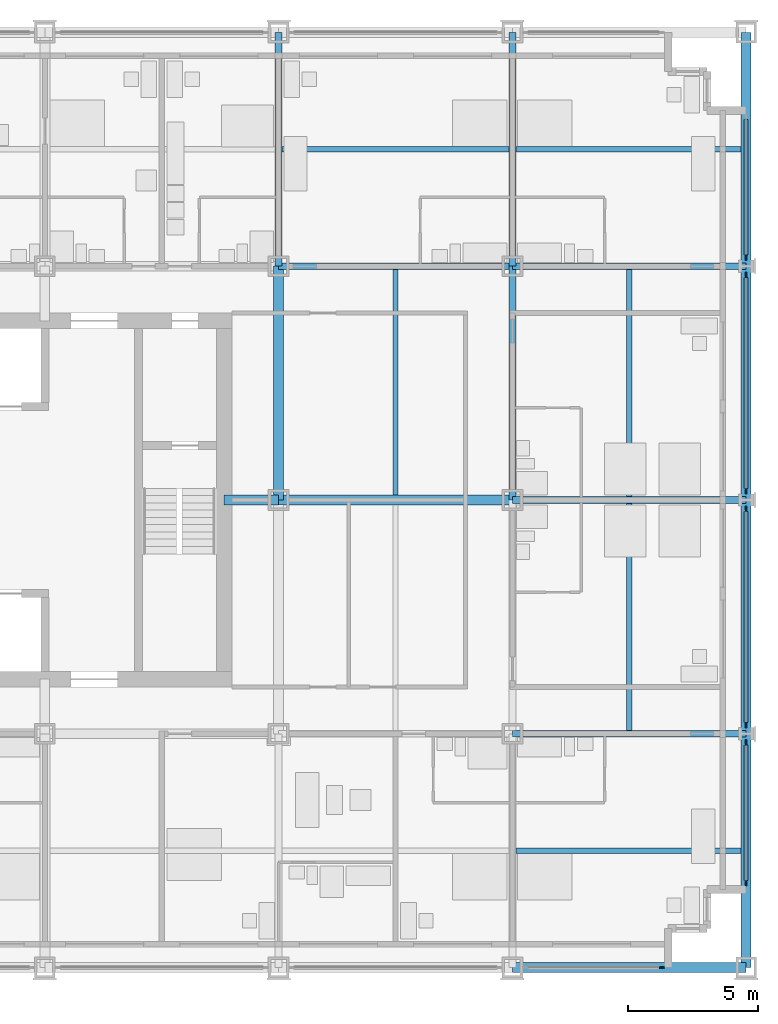
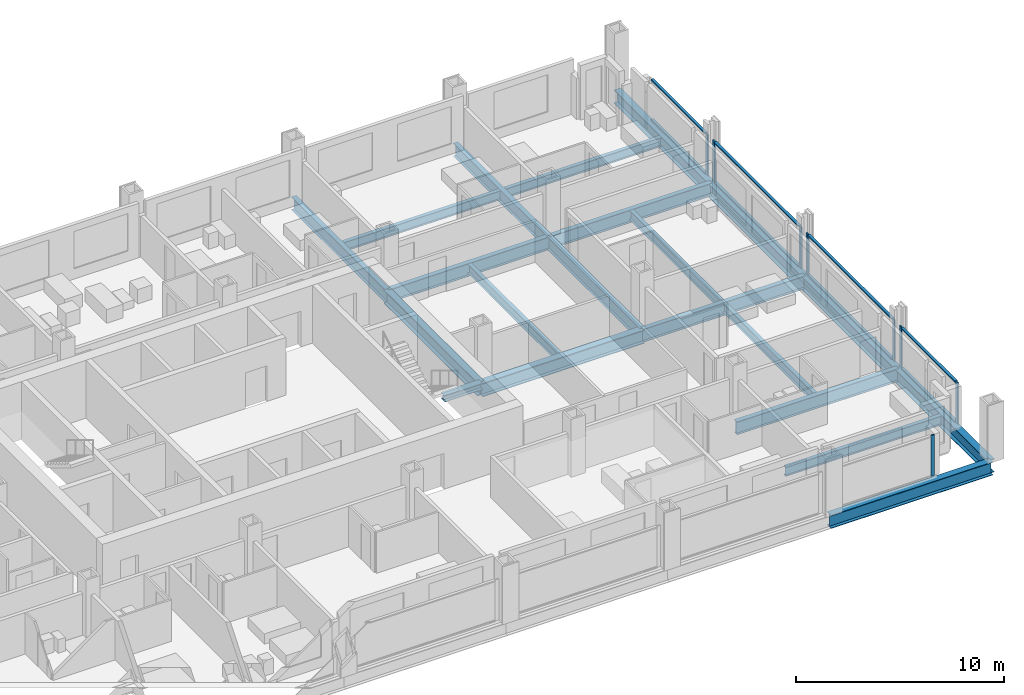
# One storey, part 6 of 18: 20 beams, 17 members, 5 elements without a shape of their own.
"""IFC4 building model written with IfcOpenShell, lengths in metres."""

from ifc_helpers import new_model, si_unit, direction, frame, origin, origin_2d, place, context, subcontext, project, spatial, rectangle, i_section, extrude, material, material_profile, profile_set, type_object, element, aggregate, save


model = new_model("IFC4")

# Units and contexts
model_context = context("Model", 3, precision=1e-05, world=origin(), true_north=direction((0.0, 1.0)))
body_context = subcontext(model_context, "Body", "Model", "MODEL_VIEW")
ifc_project = project(units=[si_unit("LENGTHUNIT", "METRE"), si_unit("AREAUNIT", "SQUARE_METRE"), si_unit("VOLUMEUNIT", "CUBIC_METRE"), si_unit("PLANEANGLEUNIT", "RADIAN"), si_unit("MASSUNIT", "GRAM", prefix="KILO")], contexts=[model_context])

# Site, building, storey
site_placement = place(None, origin())
site = spatial("IfcSite", under=ifc_project, at=site_placement, CompositionType="ELEMENT")
building_placement = place(site_placement, origin())
building = spatial("IfcBuilding", under=site, at=building_placement, Name="Loomwork Tower", CompositionType="ELEMENT")
storey_placement = place(building_placement, frame((0.0, 0.0, 31.39990234375)))
storey = spatial("IfcBuildingStorey", under=building, at=storey_placement, Name="L06", CompositionType="ELEMENT", Elevation=31.39990234375)

# Beams
ifc_material_1 = material(Name="Steel ASTM A992", Category="steel")
ifc_material_profile_1 = material_profile(ifc_material_1, i_section(OverallWidth=0.383544921875, OverallDepth=0.794921875, WebThickness=0.02099609375, FlangeThickness=0.0380859375, at=origin_2d()), Name="W30x235")
ifc_profile_set_1 = profile_set([ifc_material_profile_1], Name="Steel ASTM A992")
beam_type_1 = type_object("IfcBeamType", Name="CORE FLANK GIRDER W30x235", PredefinedType="BEAM", material=ifc_profile_set_1)
for number, where, z_axis, x_axis, name in (
    (1, (36.0, 18.0, -0.597412109375), (1.0, 0.0, 0.0), (0.0, 1.0, 0.0), "Core Flank Girder F/6-F/7 L06"),
    (2, (36.0, 18.0, -0.597412109375), (0.0, 1.0, 0.0), (-1.0, 0.0, 0.0), "Core Flank Girder F/6-G/6 L06"),
):
    element("IfcBeam", number, at=place(storey_placement, frame(where, z_axis=z_axis, x_axis=x_axis)), inside=storey, type_object=beam_type_1, Name=name, PredefinedType="BEAM", context=body_context, shape_type="SweptSolid", body=[
        extrude(i_section(OverallWidth=0.383544921875, OverallDepth=0.794921875, WebThickness=0.02099609375, FlangeThickness=0.0380859375, at=origin_2d()), origin(), (0.0, 0.0, 1.0), 9.0),
    ])

# Member
ifc_material_2 = material(Name="Steel ASTM A992", Category="steel")
ifc_material_profile_2 = material_profile(ifc_material_2, i_section(OverallWidth=0.373291015625, OverallDepth=0.373291015625, WebThickness=0.016357421875, FlangeThickness=0.026123046875, at=origin_2d()), Name="W14x132")
ifc_profile_set_2 = profile_set([ifc_material_profile_2], Name="Steel ASTM A992")
member_type_1 = type_object("IfcMemberType", Name="CORE LINK STRUT W14x132", PredefinedType="STRUT", material=ifc_profile_set_2)
member_1_placement = place(storey_placement, frame((36.0, 18.0, -0.386474609375), z_axis=(-1.0, 0.0, 0.0), x_axis=(0.0, -1.0, 0.0)))
element("IfcMember", 3, at=member_1_placement, inside=storey, type_object=member_type_1, Name="Core link strut F/6-33.900,18.000 L06", PredefinedType="STRUT", context=body_context, shape_type="SweptSolid", body=[
    extrude(i_section(OverallWidth=0.373291015625, OverallDepth=0.373291015625, WebThickness=0.016357421875, FlangeThickness=0.026123046875, at=origin_2d()), origin(), (0.0, 0.0, 1.0), 2.10009765625),
])

# Beams
ifc_material_3 = material(Name="Steel ASTM A992", Category="steel")
ifc_material_profile_3 = material_profile(ifc_material_3, i_section(OverallWidth=0.2666015625, OverallDepth=0.761962890625, WebThickness=0.014404296875, FlangeThickness=0.021484375, at=origin_2d()), Name="W30x116")
ifc_profile_set_3 = profile_set([ifc_material_profile_3], Name="Steel ASTM A992")
beam_type_2 = type_object("IfcBeamType", Name="FLOOR GIRDER W30x116", PredefinedType="BEAM", material=ifc_profile_set_3)
for number, where, z_axis, x_axis, name in (
    (4, (45.0, 9.0, -0.580810546875), (1.0, 0.0, 0.0), (0.0, 1.0, 0.0), "Floor Girder E/7-E/8 L06"),
    (5, (45.0, 18.0, -0.580810546875), (1.0, 0.0, 0.0), (0.0, 1.0, 0.0), "Floor Girder F/7-F/8 L06"),
    (6, (36.0, 27.0, -0.580810546875), (1.0, 0.0, 0.0), (0.0, 1.0, 0.0), "Floor Girder G/6-G/7 L06"),
    (7, (45.0, 27.0, -0.580810546875), (1.0, 0.0, 0.0), (0.0, 1.0, 0.0), "Floor Girder G/7-G/8 L06"),
    (8, (36.0, 27.0, -0.580810546875), (0.0, 1.0, 0.0), (-1.0, 0.0, 0.0), "Floor Girder G/6-H/6 L06"),
    (9, (45.0, 18.0, -0.580810546875), (0.0, 1.0, 0.0), (-1.0, 0.0, 0.0), "Floor Girder F/7-G/7 L06"),
    (10, (45.0, 27.0, -0.580810546875), (0.0, 1.0, 0.0), (-1.0, 0.0, 0.0), "Floor Girder G/7-H/7 L06"),
):
    element("IfcBeam", number, at=place(storey_placement, frame(where, z_axis=z_axis, x_axis=x_axis)), inside=storey, type_object=beam_type_2, Name=name, PredefinedType="BEAM", context=body_context, shape_type="SweptSolid", body=[
        extrude(i_section(OverallWidth=0.2666015625, OverallDepth=0.761962890625, WebThickness=0.014404296875, FlangeThickness=0.021484375, at=origin_2d()), origin(), (0.0, 0.0, 1.0), 9.0),
    ])
ifc_material_4 = material(Name="Steel ASTM A992", Category="steel")
ifc_material_profile_4 = material_profile(ifc_material_4, i_section(OverallWidth=0.2109375, OverallDepth=0.53857421875, WebThickness=0.011474609375, FlangeThickness=0.018798828125, at=origin_2d()), Name="W21x73")
ifc_profile_set_4 = profile_set([ifc_material_profile_4], Name="Steel ASTM A992")
beam_type_3 = type_object("IfcBeamType", Name="FLOOR JOIST W21x73", PredefinedType="JOIST", material=ifc_profile_set_4)
beam_1_placement = place(storey_placement, frame((40.5, 18.19091796875, -0.46923828125), z_axis=(0.0, 1.0, 0.0), x_axis=(-1.0, 0.0, 0.0)))
element("IfcBeam", 11, at=beam_1_placement, inside=storey, type_object=beam_type_3, Name="Floor Joist 40.500,18.000-40.500,27.000 L06", PredefinedType="JOIST", context=body_context, shape_type="SweptSolid", body=[
    extrude(i_section(OverallWidth=0.2109375, OverallDepth=0.53857421875, WebThickness=0.011474609375, FlangeThickness=0.018798828125, at=origin_2d()), origin(), (0.0, 0.0, 1.0), 8.676025390625),
])
beam_2_placement = place(storey_placement, frame((36.133056640625, 31.5, -0.46923828125), z_axis=(1.0, 0.0, 0.0), x_axis=(0.0, 1.0, 0.0)))
element("IfcBeam", 12, at=beam_2_placement, inside=storey, type_object=beam_type_3, Name="Floor Joist 36.000,31.500-45.000,31.500 L06", PredefinedType="JOIST", context=body_context, shape_type="SweptSolid", body=[
    extrude(i_section(OverallWidth=0.2109375, OverallDepth=0.53857421875, WebThickness=0.011474609375, FlangeThickness=0.018798828125, at=origin_2d()), origin(), (0.0, 0.0, 1.0), 8.73388671875),
])
beam_3_placement = place(storey_placement, frame((45.133056640625, 4.5, -0.46923828125), z_axis=(1.0, 0.0, 0.0), x_axis=(0.0, 1.0, 0.0)))
element("IfcBeam", 13, at=beam_3_placement, inside=storey, type_object=beam_type_3, Name="Floor Joist 45.000,4.500-54.000,4.500 L06", PredefinedType="JOIST", context=body_context, shape_type="SweptSolid", body=[
    extrude(i_section(OverallWidth=0.2109375, OverallDepth=0.53857421875, WebThickness=0.011474609375, FlangeThickness=0.018798828125, at=origin_2d()), origin(), (0.0, 0.0, 1.0), 8.677001953125),
])
for number, where, z_axis, x_axis, name in (
    (14, (49.5, 9.133056640625, -0.46923828125), (0.0, 1.0, 0.0), (-1.0, 0.0, 0.0), "Floor Joist 49.500,9.000-49.500,18.000 L06"),
    (15, (49.5, 18.133056640625, -0.46923828125), (0.0, 1.0, 0.0), (-1.0, 0.0, 0.0), "Floor Joist 49.500,18.000-49.500,27.000 L06"),
):
    element("IfcBeam", number, at=place(storey_placement, frame(where, z_axis=z_axis, x_axis=x_axis)), inside=storey, type_object=beam_type_3, Name=name, PredefinedType="JOIST", context=body_context, shape_type="SweptSolid", body=[
        extrude(i_section(OverallWidth=0.2109375, OverallDepth=0.53857421875, WebThickness=0.011474609375, FlangeThickness=0.018798828125, at=origin_2d()), origin(), (0.0, 0.0, 1.0), 8.73388671875),
    ])
beam_4_placement = place(storey_placement, frame((45.133056640625, 31.5, -0.46923828125), z_axis=(1.0, 0.0, 0.0), x_axis=(0.0, 1.0, 0.0)))
element("IfcBeam", 16, at=beam_4_placement, inside=storey, type_object=beam_type_3, Name="Floor Joist 45.000,31.500-54.000,31.500 L06", PredefinedType="JOIST", context=body_context, shape_type="SweptSolid", body=[
    extrude(i_section(OverallWidth=0.2109375, OverallDepth=0.53857421875, WebThickness=0.011474609375, FlangeThickness=0.018798828125, at=origin_2d()), origin(), (0.0, 0.0, 1.0), 8.677001953125),
])

# Curtain wall, member
ifc_material_5 = material(Name="Aluminium curtain wall frame", Category="aluminium")
curtain_wall_type = type_object("IfcCurtainWallType", Name="Outer skin glazing hotel", PredefinedType="NOTDEFINED", material=ifc_material_5)
curtain_wall_1_placement = place(storey_placement, origin())
curtain_wall_1 = element("IfcCurtainWall", 17, at=curtain_wall_1_placement, inside=storey, type_object=curtain_wall_type, Name="Outer skin glazing hotel cw/S-45", PredefinedType="NOTDEFINED")
ifc_material_6 = material(Name="Aluminium curtain wall frame", Category="aluminium")
ifc_material_profile_5 = material_profile(ifc_material_6, rectangle(XDim=0.06494140625, YDim=0.199951171875, at=origin_2d()), Name="AL 65x200")
ifc_profile_set_5 = profile_set([ifc_material_profile_5], Name="Aluminium curtain wall frame")
member_type_2 = type_object("IfcMemberType", Name="Outer skin glazing hotel mullion", PredefinedType="MULLION", material=ifc_profile_set_5)
member_2_placement = place(storey_placement, frame((50.75, 0.0, 0.0), z_axis=(0.0, 0.0, 1.0), x_axis=(0.0, 1.0, 0.0)))
member_2 = element("IfcMember", 18, at=member_2_placement, type_object=member_type_2, Name="CW1 mullion 2", PredefinedType="MULLION", context=body_context, shape_type="SweptSolid", body=[
    extrude(rectangle(XDim=0.06494140625, YDim=0.199951171875, at=origin_2d()), origin(), (0.0, 0.0, 1.0), 2.42041015625),
])
aggregate(curtain_wall_1, [member_2])

# Curtain wall, members
curtain_wall_2_placement = place(storey_placement, origin())
curtain_wall_2 = element("IfcCurtainWall", 19, at=curtain_wall_2_placement, inside=storey, type_object=curtain_wall_type, Name="Outer skin glazing hotel cw/E-0", PredefinedType="NOTDEFINED")
member_3_placement = place(storey_placement, frame((54.0, 3.25, 0.0), z_axis=(0.0, 0.0, 1.0), x_axis=(-1.0, 0.0, 0.0)))
member_3 = element("IfcMember", 20, at=member_3_placement, type_object=member_type_2, Name="CW1 mullion 1", PredefinedType="MULLION", context=body_context, shape_type="SweptSolid", body=[
    extrude(rectangle(XDim=0.06494140625, YDim=0.199951171875, at=origin_2d()), origin(), (0.0, 0.0, 1.0), 2.42041015625),
])
member_4_placement = place(storey_placement, frame((54.0, 8.6611328125, 0.0), z_axis=(0.0, 0.0, 1.0), x_axis=(-1.0, 0.0, 0.0)))
member_4 = element("IfcMember", 21, at=member_4_placement, type_object=member_type_2, Name="CW1 mullion 2", PredefinedType="MULLION", context=body_context, shape_type="SweptSolid", body=[
    extrude(rectangle(XDim=0.06494140625, YDim=0.199951171875, at=origin_2d()), origin(), (0.0, 0.0, 1.0), 2.42041015625),
])

curtain_wall_3_placement = place(storey_placement, origin())
curtain_wall_3 = element("IfcCurtainWall", 22, at=curtain_wall_3_placement, inside=storey, type_object=curtain_wall_type, Name="Outer skin glazing hotel cw/E-9", PredefinedType="NOTDEFINED")
member_5_placement = place(storey_placement, frame((54.0, 9.3388671875, 0.0), z_axis=(0.0, 0.0, 1.0), x_axis=(-1.0, 0.0, 0.0)))
member_5 = element("IfcMember", 23, at=member_5_placement, type_object=member_type_2, Name="CW1 mullion 1", PredefinedType="MULLION", context=body_context, shape_type="SweptSolid", body=[
    extrude(rectangle(XDim=0.06494140625, YDim=0.199951171875, at=origin_2d()), origin(), (0.0, 0.0, 1.0), 2.42041015625),
])
member_6_placement = place(storey_placement, frame((54.0, 17.6611328125, 0.0), z_axis=(0.0, 0.0, 1.0), x_axis=(-1.0, 0.0, 0.0)))
member_6 = element("IfcMember", 24, at=member_6_placement, type_object=member_type_2, Name="CW1 mullion 2", PredefinedType="MULLION", context=body_context, shape_type="SweptSolid", body=[
    extrude(rectangle(XDim=0.06494140625, YDim=0.199951171875, at=origin_2d()), origin(), (0.0, 0.0, 1.0), 2.42041015625),
])

curtain_wall_4_placement = place(storey_placement, origin())
curtain_wall_4 = element("IfcCurtainWall", 25, at=curtain_wall_4_placement, inside=storey, type_object=curtain_wall_type, Name="Outer skin glazing hotel cw/E-18", PredefinedType="NOTDEFINED")
member_7_placement = place(storey_placement, frame((54.0, 18.3388671875, 0.0), z_axis=(0.0, 0.0, 1.0), x_axis=(-1.0, 0.0, 0.0)))
member_7 = element("IfcMember", 26, at=member_7_placement, type_object=member_type_2, Name="CW1 mullion 1", PredefinedType="MULLION", context=body_context, shape_type="SweptSolid", body=[
    extrude(rectangle(XDim=0.06494140625, YDim=0.199951171875, at=origin_2d()), origin(), (0.0, 0.0, 1.0), 2.42041015625),
])
member_8_placement = place(storey_placement, frame((54.0, 26.6611328125, 0.0), z_axis=(0.0, 0.0, 1.0), x_axis=(-1.0, 0.0, 0.0)))
member_8 = element("IfcMember", 27, at=member_8_placement, type_object=member_type_2, Name="CW1 mullion 2", PredefinedType="MULLION", context=body_context, shape_type="SweptSolid", body=[
    extrude(rectangle(XDim=0.06494140625, YDim=0.199951171875, at=origin_2d()), origin(), (0.0, 0.0, 1.0), 2.42041015625),
])

# Curtain wall, member
curtain_wall_5_placement = place(storey_placement, origin())
curtain_wall_5 = element("IfcCurtainWall", 28, at=curtain_wall_5_placement, inside=storey, type_object=curtain_wall_type, Name="Outer skin glazing hotel cw/E-27", PredefinedType="NOTDEFINED")
member_9_placement = place(storey_placement, frame((54.0, 27.3388671875, 0.0), z_axis=(0.0, 0.0, 1.0), x_axis=(-1.0, 0.0, 0.0)))
member_9 = element("IfcMember", 29, at=member_9_placement, type_object=member_type_2, Name="CW1 mullion 1", PredefinedType="MULLION", context=body_context, shape_type="SweptSolid", body=[
    extrude(rectangle(XDim=0.06494140625, YDim=0.199951171875, at=origin_2d()), origin(), (0.0, 0.0, 1.0), 2.42041015625),
])

# Member
ifc_material_7 = material(Name="Aluminium curtain wall frame", Category="aluminium")
ifc_material_profile_6 = material_profile(ifc_material_7, rectangle(XDim=0.14990234375, YDim=0.06494140625, at=origin_2d()), Name="AL 65x150")
ifc_profile_set_6 = profile_set([ifc_material_profile_6], Name="Aluminium curtain wall frame")
member_type_3 = type_object("IfcMemberType", Name="Outer skin glazing hotel transom", PredefinedType="USERDEFINED", material=ifc_profile_set_6)
member_10_placement = place(storey_placement, frame((54.0, 3.35009765625, 0.03271484375), z_axis=(0.0, 1.0, 0.0), x_axis=(-1.0, 0.0, 0.0)))
member_10 = element("IfcMember", 30, at=member_10_placement, type_object=member_type_3, Name="CW1 transom 1.1", ObjectType="TRANSOM", PredefinedType="USERDEFINED", context=body_context, shape_type="SweptSolid", body=[
    extrude(rectangle(XDim=0.14990234375, YDim=0.06494140625, at=origin_2d()), origin(), (0.0, 0.0, 1.0), 5.211181640625),
])

member_11_placement = place(storey_placement, frame((54.0, 3.35009765625, 2.3876953125), z_axis=(0.0, 1.0, 0.0), x_axis=(-1.0, 0.0, 0.0)))
member_11 = element("IfcMember", 31, at=member_11_placement, type_object=member_type_3, Name="CW1 transom 1.2", ObjectType="TRANSOM", PredefinedType="USERDEFINED", context=body_context, shape_type="SweptSolid", body=[
    extrude(rectangle(XDim=0.14990234375, YDim=0.06494140625, at=origin_2d()), origin(), (0.0, 0.0, 1.0), 5.211181640625),
])

aggregate(curtain_wall_2, [member_3, member_4, member_10, member_11])

member_12_placement = place(storey_placement, frame((54.0, 9.438720703125, 0.03271484375), z_axis=(0.0, 1.0, 0.0), x_axis=(-1.0, 0.0, 0.0)))
member_12 = element("IfcMember", 32, at=member_12_placement, type_object=member_type_3, Name="CW1 transom 1.1", ObjectType="TRANSOM", PredefinedType="USERDEFINED", context=body_context, shape_type="SweptSolid", body=[
    extrude(rectangle(XDim=0.14990234375, YDim=0.06494140625, at=origin_2d()), origin(), (0.0, 0.0, 1.0), 8.12255859375),
])

member_13_placement = place(storey_placement, frame((54.0, 9.438720703125, 2.3876953125), z_axis=(0.0, 1.0, 0.0), x_axis=(-1.0, 0.0, 0.0)))
member_13 = element("IfcMember", 33, at=member_13_placement, type_object=member_type_3, Name="CW1 transom 1.2", ObjectType="TRANSOM", PredefinedType="USERDEFINED", context=body_context, shape_type="SweptSolid", body=[
    extrude(rectangle(XDim=0.14990234375, YDim=0.06494140625, at=origin_2d()), origin(), (0.0, 0.0, 1.0), 8.12255859375),
])

aggregate(curtain_wall_3, [member_5, member_6, member_12, member_13])

member_14_placement = place(storey_placement, frame((54.0, 18.438720703125, 0.03271484375), z_axis=(0.0, 1.0, 0.0), x_axis=(-1.0, 0.0, 0.0)))
member_14 = element("IfcMember", 34, at=member_14_placement, type_object=member_type_3, Name="CW1 transom 1.1", ObjectType="TRANSOM", PredefinedType="USERDEFINED", context=body_context, shape_type="SweptSolid", body=[
    extrude(rectangle(XDim=0.14990234375, YDim=0.06494140625, at=origin_2d()), origin(), (0.0, 0.0, 1.0), 8.12255859375),
])

member_15_placement = place(storey_placement, frame((54.0, 18.438720703125, 2.3876953125), z_axis=(0.0, 1.0, 0.0), x_axis=(-1.0, 0.0, 0.0)))
member_15 = element("IfcMember", 35, at=member_15_placement, type_object=member_type_3, Name="CW1 transom 1.2", ObjectType="TRANSOM", PredefinedType="USERDEFINED", context=body_context, shape_type="SweptSolid", body=[
    extrude(rectangle(XDim=0.14990234375, YDim=0.06494140625, at=origin_2d()), origin(), (0.0, 0.0, 1.0), 8.12255859375),
])

aggregate(curtain_wall_4, [member_7, member_8, member_14, member_15])

member_16_placement = place(storey_placement, frame((54.0, 27.438720703125, 0.03271484375), z_axis=(0.0, 1.0, 0.0), x_axis=(-1.0, 0.0, 0.0)))
member_16 = element("IfcMember", 36, at=member_16_placement, type_object=member_type_3, Name="CW1 transom 1.1", ObjectType="TRANSOM", PredefinedType="USERDEFINED", context=body_context, shape_type="SweptSolid", body=[
    extrude(rectangle(XDim=0.14990234375, YDim=0.06494140625, at=origin_2d()), origin(), (0.0, 0.0, 1.0), 5.211181640625),
])

member_17_placement = place(storey_placement, frame((54.0, 27.438720703125, 2.3876953125), z_axis=(0.0, 1.0, 0.0), x_axis=(-1.0, 0.0, 0.0)))
member_17 = element("IfcMember", 37, at=member_17_placement, type_object=member_type_3, Name="CW1 transom 1.2", ObjectType="TRANSOM", PredefinedType="USERDEFINED", context=body_context, shape_type="SweptSolid", body=[
    extrude(rectangle(XDim=0.14990234375, YDim=0.06494140625, at=origin_2d()), origin(), (0.0, 0.0, 1.0), 5.211181640625),
])

aggregate(curtain_wall_5, [member_9, member_16, member_17])

# Beams
ifc_material_8 = material(Name="Steel ASTM A992", Category="steel")
ifc_material_profile_7 = material_profile(ifc_material_8, i_section(OverallWidth=0.381103515625, OverallDepth=0.77978515625, WebThickness=0.01806640625, FlangeThickness=0.0302734375, at=origin_2d()), Name="W30x191")
ifc_profile_set_7 = profile_set([ifc_material_profile_7], Name="Steel ASTM A992")
beam_type_4 = type_object("IfcBeamType", Name="SPANDREL GIRDER W30x191", PredefinedType="SPANDREL", material=ifc_profile_set_7)
for number, where, z_axis, x_axis, name in (
    (38, (45.0, 0.0, -0.58984375), (1.0, 0.0, 0.0), (0.0, 1.0, 0.0), "Spandrel Girder D/7-D/8 L06"),
    (39, (54.0, 0.0, -0.58984375), (0.0, 1.0, 0.0), (-1.0, 0.0, 0.0), "Spandrel Girder D/8-E/8 L06"),
    (40, (54.0, 9.0, -0.58984375), (0.0, 1.0, 0.0), (-1.0, 0.0, 0.0), "Spandrel Girder E/8-F/8 L06"),
    (41, (54.0, 18.0, -0.58984375), (0.0, 1.0, 0.0), (-1.0, 0.0, 0.0), "Spandrel Girder F/8-G/8 L06"),
    (42, (54.0, 27.0, -0.58984375), (0.0, 1.0, 0.0), (-1.0, 0.0, 0.0), "Spandrel Girder G/8-H/8 L06"),
):
    element("IfcBeam", number, at=place(storey_placement, frame(where, z_axis=z_axis, x_axis=x_axis)), inside=storey, type_object=beam_type_4, Name=name, PredefinedType="SPANDREL", context=body_context, shape_type="SweptSolid", body=[
        extrude(i_section(OverallWidth=0.381103515625, OverallDepth=0.77978515625, WebThickness=0.01806640625, FlangeThickness=0.0302734375, at=origin_2d()), origin(), (0.0, 0.0, 1.0), 9.0),
    ])

save(model, "model.ifc")
